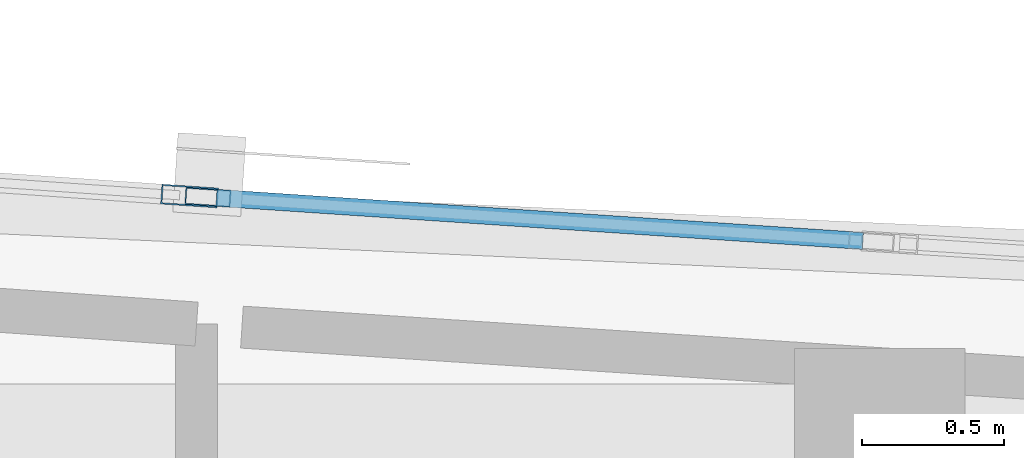
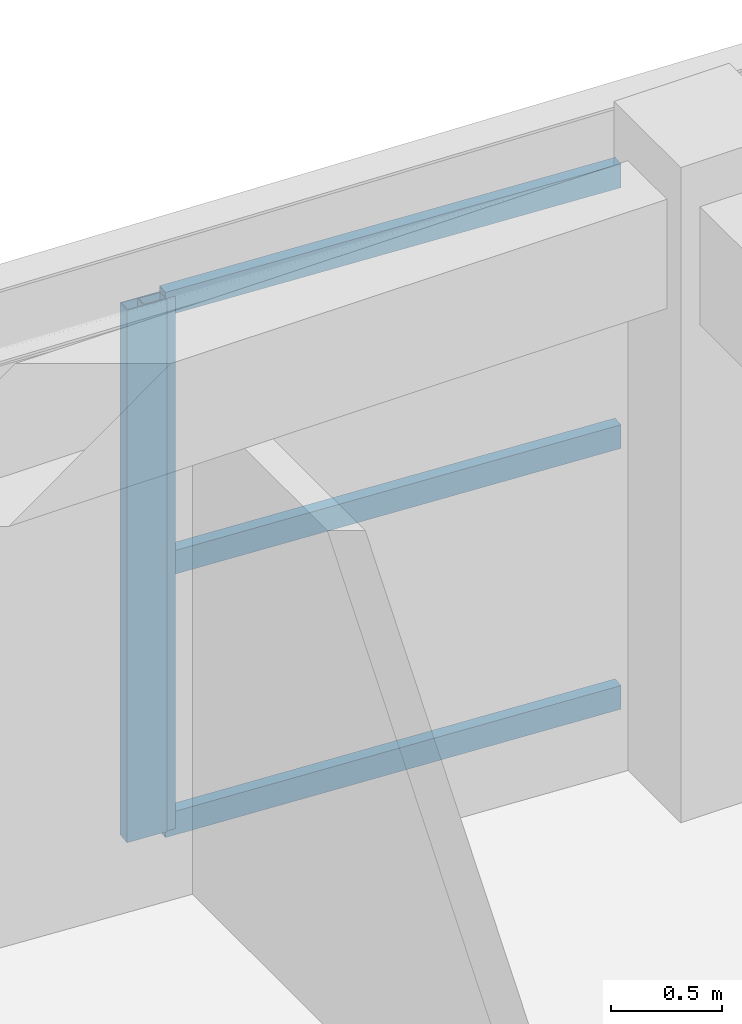
# One storey, part 28 of 50: 5 members, 2 elements without a shape of their own.
"""IFC4 building model written with IfcOpenShell, lengths in metres."""

from ifc_helpers import new_model, si_unit, direction, frame, origin, origin_2d, place, context, subcontext, project, spatial, hollow_rectangle, extrude, material, layer, layer_set, material_profile, profile_set, type_object, element, aggregate, save


model = new_model("IFC4")

# Units and contexts
model_context = context("Model", 3, precision=1e-05, world=origin(), true_north=direction((0.0, 1.0)))
body_context = subcontext(model_context, "Body", "Model", "MODEL_VIEW")
ifc_project = project(units=[si_unit("LENGTHUNIT", "METRE"), si_unit("AREAUNIT", "SQUARE_METRE"), si_unit("VOLUMEUNIT", "CUBIC_METRE"), si_unit("PLANEANGLEUNIT", "RADIAN"), si_unit("MASSUNIT", "GRAM", prefix="KILO")], contexts=[model_context])

# Site, building, storey
site_placement = place(None, origin())
site = spatial("IfcSite", under=ifc_project, at=site_placement, CompositionType="ELEMENT")
building_placement = place(site_placement, origin())
building = spatial("IfcBuilding", under=site, at=building_placement, Name="Carrowvane Square Congress Hotel", CompositionType="ELEMENT")
storey_placement = place(building_placement, frame((0.0, 0.0, 22.800048828125)))
storey = spatial("IfcBuildingStorey", under=building, at=storey_placement, Name="L05", CompositionType="ELEMENT", Elevation=22.800048828125)

# Curtain wall, member
ifc_material_1 = material(Name="Anodised aluminium", Category="aluminium")
ifc_layer_1 = layer(ifc_material_1, 0.162109375)
ifc_layer_set_1 = layer_set([ifc_layer_1], Name="Anodised aluminium")
curtain_wall_type_1 = type_object("IfcCurtainWallType", Name="CW-SYS-1", PredefinedType="NOTDEFINED", material=ifc_layer_set_1)
curtain_wall_1_placement = place(storey_placement, origin())
curtain_wall_1 = element("IfcCurtainWall", 1, at=curtain_wall_1_placement, inside=storey, type_object=curtain_wall_type_1, Name="L05 unitised curtain wall 352", PredefinedType="NOTDEFINED")
ifc_material_2 = material(Name="Anodised aluminium", Category="aluminium")
ifc_material_profile_1 = material_profile(ifc_material_2, hollow_rectangle(XDim=0.06005859375, YDim=0.159912109375, WallThickness=0.00390625, at=origin_2d()), Name="CW-ML 60x160x4")
ifc_profile_set_1 = profile_set([ifc_material_profile_1], Name="Anodised aluminium")
member_type_1 = type_object("IfcMemberType", Name="CW-MUL-1", PredefinedType="MULLION", material=ifc_profile_set_1)
member_1_placement = place(storey_placement, frame((146.030029296875, 114.2333984375, 0.0), z_axis=(0.0, 0.0, 1.0), x_axis=(0.06657392244, 0.997781495544, 0.0)))
member_1 = element("IfcMember", 2, at=member_1_placement, type_object=member_type_1, Name="CW-1 mullion 1", PredefinedType="MULLION", context=body_context, shape_type="SweptSolid", body=[
    extrude(hollow_rectangle(XDim=0.06005859375, YDim=0.159912109375, WallThickness=0.00390625, at=origin_2d()), origin(), (0.0, 0.0, 1.0), 2.925537109375),
])

ifc_material_3 = material(Name="Anodised aluminium", Category="aluminium")
ifc_layer_2 = layer(ifc_material_3, 0.24609375)
ifc_layer_set_2 = layer_set([ifc_layer_2], Name="Anodised aluminium")
curtain_wall_type_2 = type_object("IfcCurtainWallType", Name="CW-SYS-8", PredefinedType="NOTDEFINED", material=ifc_layer_set_2)
curtain_wall_2_placement = place(storey_placement, origin())
curtain_wall_2 = element("IfcCurtainWall", 3, at=curtain_wall_2_placement, inside=storey, type_object=curtain_wall_type_2, Name="L05 unitised curtain wall 351", PredefinedType="NOTDEFINED")
ifc_material_4 = material(Name="Anodised aluminium", Category="aluminium")
ifc_material_profile_2 = material_profile(ifc_material_4, hollow_rectangle(XDim=0.070068359375, YDim=0.199951171875, WallThickness=0.0048828125, at=origin_2d()), Name="CW-ML 70x200x5")
ifc_profile_set_2 = profile_set([ifc_material_profile_2], Name="Anodised aluminium")
member_type_2 = type_object("IfcMemberType", Name="CW-MUL-2", PredefinedType="MULLION", material=ifc_profile_set_2)
member_2_placement = place(storey_placement, frame((145.965087890625, 114.23779296875, 0.0), z_axis=(0.0, 0.0, 1.0), x_axis=(0.068986120725, 0.997617619706, 0.0)))
member_2 = element("IfcMember", 4, at=member_2_placement, type_object=member_type_2, Name="CW-8 mullion 3", PredefinedType="MULLION", context=body_context, shape_type="SweptSolid", body=[
    extrude(hollow_rectangle(XDim=0.070068359375, YDim=0.199951171875, WallThickness=0.0048828125, at=origin_2d()), origin(), (0.0, 0.0, 1.0), 2.925537109375),
])
aggregate(curtain_wall_2, [member_2])

# Member
ifc_material_5 = material(Name="Anodised aluminium", Category="aluminium")
ifc_material_profile_3 = material_profile(ifc_material_5, hollow_rectangle(XDim=0.06005859375, YDim=0.1298828125, WallThickness=0.00390625, at=origin_2d()), Name="CW-TR 60x130x4")
ifc_profile_set_3 = profile_set([ifc_material_profile_3], Name="Anodised aluminium")
member_type_3 = type_object("IfcMemberType", Name="CW-TRN-1", PredefinedType="USERDEFINED", material=ifc_profile_set_3)
member_3_placement = place(storey_placement, frame((146.059814453125, 114.2314453125, 0.030029296875), z_axis=(0.997782793753, -0.066554462581, 0.0), x_axis=(0.066554462581, 0.997782793753, 0.0)))
member_3 = element("IfcMember", 5, at=member_3_placement, type_object=member_type_3, Name="CW-1 transom 1.1", ObjectType="TRANSOM", PredefinedType="USERDEFINED", context=body_context, shape_type="SweptSolid", body=[
    extrude(hollow_rectangle(XDim=0.06005859375, YDim=0.1298828125, WallThickness=0.00390625, at=origin_2d()), origin(), (0.0, 0.0, 1.0), 2.285400390625),
])

member_4_placement = place(storey_placement, frame((146.059814453125, 114.2314453125, 1.462646484375), z_axis=(0.997782793753, -0.066554462581, 0.0), x_axis=(0.066554462581, 0.997782793753, 0.0)))
member_4 = element("IfcMember", 6, at=member_4_placement, type_object=member_type_3, Name="CW-1 transom 1.2", ObjectType="TRANSOM", PredefinedType="USERDEFINED", context=body_context, shape_type="SweptSolid", body=[
    extrude(hollow_rectangle(XDim=0.06005859375, YDim=0.1298828125, WallThickness=0.00390625, at=origin_2d()), origin(), (0.0, 0.0, 1.0), 2.285400390625),
])

member_5_placement = place(storey_placement, frame((146.059814453125, 114.2314453125, 2.8955078125), z_axis=(0.997782793753, -0.066554462581, 0.0), x_axis=(0.066554462581, 0.997782793753, 0.0)))
member_5 = element("IfcMember", 7, at=member_5_placement, type_object=member_type_3, Name="CW-1 transom 1.3", ObjectType="TRANSOM", PredefinedType="USERDEFINED", context=body_context, shape_type="SweptSolid", body=[
    extrude(hollow_rectangle(XDim=0.06005859375, YDim=0.1298828125, WallThickness=0.00390625, at=origin_2d()), origin(), (0.0, 0.0, 1.0), 2.285400390625),
])

aggregate(curtain_wall_1, [member_1, member_3, member_4, member_5])

save(model, "model.ifc")
